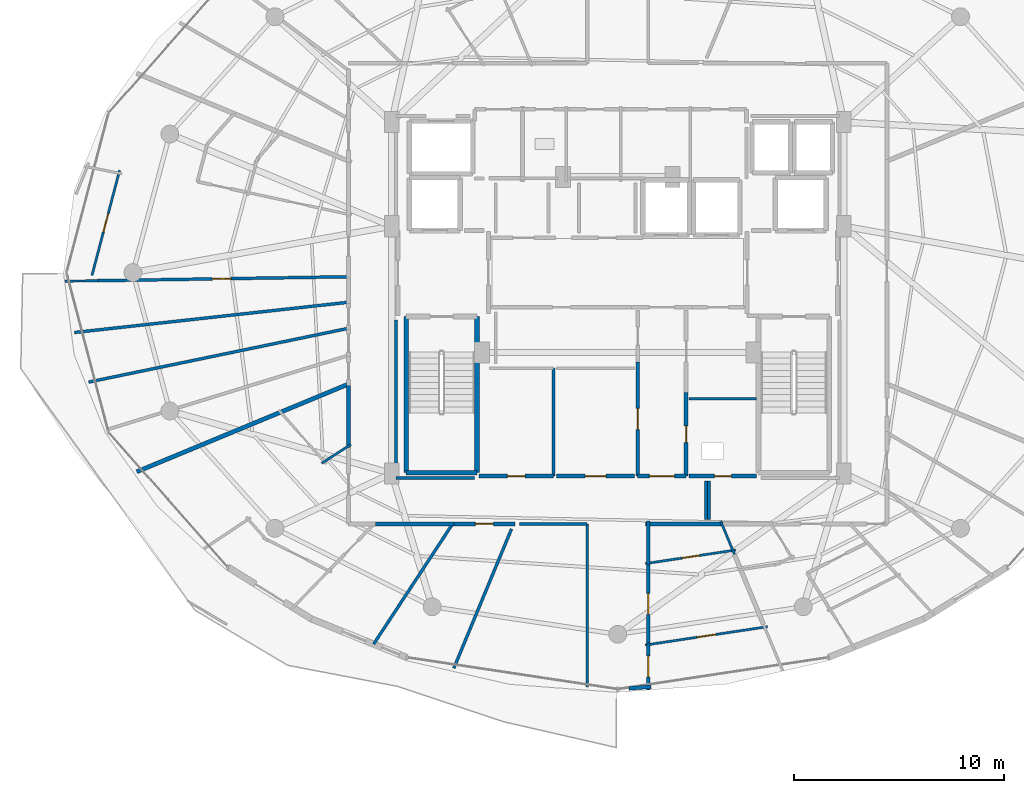
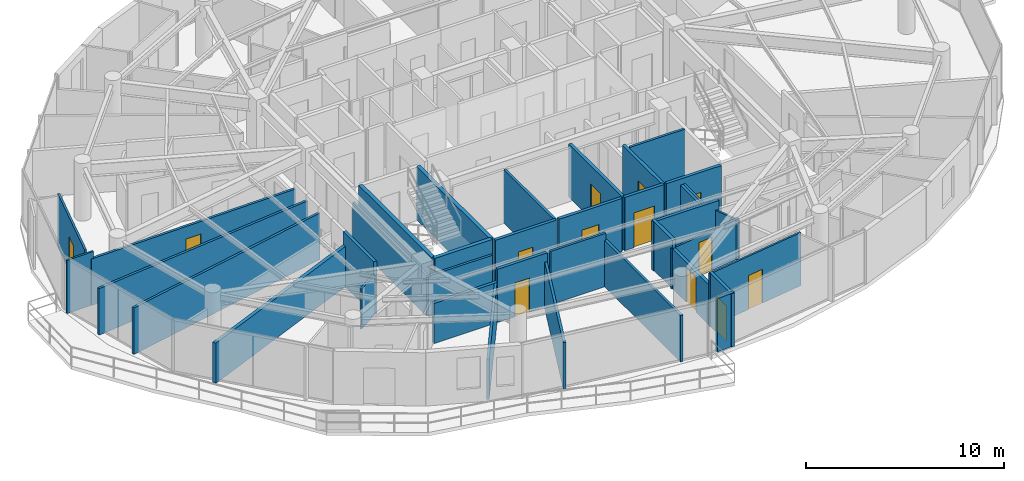
# One storey, part 23 of 31: 37 walls, 13 doors, 13 openings.
"""IFC4 building model written with IfcOpenShell, lengths in metres."""

from ifc_helpers import new_model, si_unit, direction, frame, frame_2d, origin, place, context, subcontext, project, spatial, rectangle, extrude, material, layer, layer_set, type_object, element, fill, save


model = new_model("IFC4")

# Units and contexts
model_context = context("Model", 3, precision=1e-05, world=origin(), true_north=direction((0.0, 1.0)))
body_context = subcontext(model_context, "Body", "Model", "MODEL_VIEW")
ifc_project = project(units=[si_unit("LENGTHUNIT", "METRE"), si_unit("AREAUNIT", "SQUARE_METRE"), si_unit("VOLUMEUNIT", "CUBIC_METRE"), si_unit("PLANEANGLEUNIT", "RADIAN"), si_unit("MASSUNIT", "GRAM", prefix="KILO")], contexts=[model_context])

# Site, building, storey
site_placement = place(None, origin())
site = spatial("IfcSite", under=ifc_project, at=site_placement, CompositionType="ELEMENT")
building_placement = place(site_placement, origin())
building = spatial("IfcBuilding", under=site, at=building_placement, Name="Vorneva Point Tower", CompositionType="ELEMENT")
storey_placement = place(building_placement, frame((0.0, 0.0, 244.89990234375)))
storey = spatial("IfcBuildingStorey", under=building, at=storey_placement, Name="L66", CompositionType="ELEMENT", Elevation=244.89990234375)

# Wall, opening, door
ifc_material_1 = material(Name="Fire-rated acoustic gypsum stud partition", Category="gypsum")
ifc_layer_1 = layer(ifc_material_1, 0.110107421875)
ifc_layer_set_1 = layer_set([ifc_layer_1], Name="Fire-rated acoustic gypsum stud partition")
wall_type_1 = type_object("IfcWallType", Name="WL-PART-110", PredefinedType="PARTITIONING", material=ifc_layer_set_1)
wall_1_placement = place(storey_placement, frame((14.318603515625, 30.8603515625, 0.0), z_axis=(0.0, 0.0, 1.0), x_axis=(-0.254404898477, -0.967097796312, 0.0)))
wall_1 = element("IfcWall", 1, at=wall_1_placement, inside=storey, type_object=wall_type_1, Name="L66 Interior Partition 089", PredefinedType="PARTITIONING", context=body_context, shape_type="SweptSolid", body=[
    extrude(rectangle(XDim=5.165771484375, YDim=0.110107421875, at=frame_2d((2.5830078125, 0.0))), origin(), (0.0, 0.0, 1.0), 3.2900390625),
])
opening_1_placement = place(wall_1_placement, frame((2.1328125, 0.0, 0.0)))
opening_1 = element("IfcOpeningElement", 2, at=opening_1_placement, cuts=wall_1, Name="Opening ID-01", PredefinedType="OPENING", context=body_context, shape_type="SweptSolid", body=[
    extrude(rectangle(XDim=0.89990234375, YDim=2.10009765625, at=frame_2d((0.449951171875, 1.050048828125))), frame((0.0, 0.06982421875, 0.0), z_axis=(0.0, -1.0, 0.0), x_axis=(1.0, 0.0, 0.0)), (0.0, 0.0, 1.0), 0.139892578125),
])
ifc_material_2 = material(Name="Engineered oak fire-rated door leaf", Category="wood")
door_type_1 = type_object("IfcDoorType", Name="DR-ROOM-900", OperationType="NOTDEFINED", PredefinedType="DOOR", material=ifc_material_2)
door_1_placement = place(opening_1_placement, origin())
door_1 = element("IfcDoor", 3, at=door_1_placement, inside=storey, type_object=door_type_1, Name="L66 Door Living and Dining Room L66-02 / Kitchen L66-02", OperationType="SINGLE_SWING_LEFT", OverallHeight=2.10009765625, OverallWidth=0.89990234375, PredefinedType="DOOR", context=body_context, shape_type="SweptSolid", body=[
    extrude(rectangle(XDim=0.89990234375, YDim=2.10009765625, at=frame_2d((0.449951171875, 1.050048828125))), frame((0.0, 0.02490234375, 0.0), z_axis=(0.0, -1.0, 0.0), x_axis=(1.0, 0.0, 0.0)), (0.0, 0.0, 1.0), 0.050048828125),
])
fill(opening_1, door_1)

# Walls
wall_2_placement = place(storey_placement, frame((11.714111328125, 25.5869140625, 0.0), z_axis=(0.0, 0.0, 1.0), x_axis=(0.9998813462, 0.015404334465, 0.0)))
element("IfcWall", 4, at=wall_2_placement, inside=storey, type_object=wall_type_1, Name="L66 Interior Partition 096", PredefinedType="PARTITIONING", context=body_context, shape_type="SweptSolid", body=[
    extrude(rectangle(XDim=1.569091796875, YDim=0.110107421875, at=frame_2d((0.78466796875, 0.0))), origin(), (0.0, 0.0, 1.0), 3.2900390625),
])
wall_3_placement = place(storey_placement, frame((25.317626953125, 17.827880859375, 0.0), z_axis=(0.0, 0.0, 1.0), x_axis=(-0.840783734709, -0.541371140207, 0.0)))
element("IfcWall", 5, at=wall_3_placement, inside=storey, type_object=wall_type_1, Name="L66 Interior Partition 101", PredefinedType="PARTITIONING", context=body_context, shape_type="SweptSolid", body=[
    extrude(rectangle(XDim=1.648681640625, YDim=0.110107421875, at=frame_2d((0.82421875, 0.0))), origin(), (0.0, 0.0, 1.0), 2.482177734375),
])
wall_4_placement = place(storey_placement, frame((43.549560546875, 12.602783203125, 0.0), z_axis=(0.0, 0.0, 1.0), x_axis=(-0.382735094105, 0.923858131826, 0.0)))
element("IfcWall", 6, at=wall_4_placement, inside=storey, type_object=wall_type_1, Name="L66 Interior Partition 109", PredefinedType="PARTITIONING", context=body_context, shape_type="SweptSolid", body=[
    extrude(rectangle(XDim=1.706298828125, YDim=0.110107421875, at=frame_2d((0.85302734375, 0.0))), origin(), (0.0, 0.0, 1.0), 2.482177734375),
])

# Wall, opening, door
wall_5_placement = place(storey_placement, frame((43.611328125, 12.807861328125, 0.0), z_axis=(0.0, 0.0, 1.0), x_axis=(-0.988876968465, -0.148735810213, 0.0)))
wall_5 = element("IfcWall", 7, at=wall_5_placement, inside=storey, type_object=wall_type_1, Name="L66 Interior Partition 110", PredefinedType="PARTITIONING", context=body_context, shape_type="SweptSolid", body=[
    extrude(rectangle(XDim=4.34814453125, YDim=0.110107421875, at=frame_2d((2.174072265625, 0.0))), origin(), (0.0, 0.0, 1.0), 2.482177734375),
])
opening_2_placement = place(wall_5_placement, frame((1.7490234375, 0.0, 0.0)))
opening_2 = element("IfcOpeningElement", 8, at=opening_2_placement, cuts=wall_5, Name="Opening ID-02", PredefinedType="OPENING", context=body_context, shape_type="SweptSolid", body=[
    extrude(rectangle(XDim=0.85009765625, YDim=2.10009765625, at=frame_2d((0.425048828125, 1.050048828125))), frame((0.0, 0.06982421875, 0.0), z_axis=(0.0, -1.0, 0.0), x_axis=(1.0, 0.0, 0.0)), (0.0, 0.0, 1.0), 0.139892578125),
])
door_type_2 = type_object("IfcDoorType", Name="DR-BATH-850", OperationType="NOTDEFINED", PredefinedType="DOOR", material=ifc_material_2)
door_2_placement = place(opening_2_placement, origin())
door_2 = element("IfcDoor", 9, at=door_2_placement, inside=storey, type_object=door_type_2, Name="L66 Door Studio Apartment L66-04 / Bathroom L66-04", OperationType="SINGLE_SWING_LEFT", OverallHeight=2.10009765625, OverallWidth=0.85009765625, PredefinedType="DOOR", context=body_context, shape_type="SweptSolid", body=[
    extrude(rectangle(XDim=0.85009765625, YDim=2.10009765625, at=frame_2d((0.425048828125, 1.050048828125))), frame((0.0, 0.02490234375, 0.0), z_axis=(0.0, -1.0, 0.0), x_axis=(1.0, 0.0, 0.0)), (0.0, 0.0, 1.0), 0.050048828125),
])
fill(opening_2, door_2)

wall_6_placement = place(storey_placement, frame((39.3115234375, 8.289306640625, 0.0), z_axis=(0.0, 0.0, 1.0), x_axis=(0.988884781275, 0.1486838571, 0.0)))
wall_6 = element("IfcWall", 10, at=wall_6_placement, inside=storey, type_object=wall_type_1, Name="L66 Interior Partition 112", PredefinedType="PARTITIONING", context=body_context, shape_type="SweptSolid", body=[
    extrude(rectangle(XDim=5.875, YDim=0.110107421875, at=frame_2d((2.9375, 0.0))), origin(), (0.0, 0.0, 1.0), 3.2900390625),
])
opening_3_placement = place(wall_6_placement, frame((2.487548828125, 0.0, 0.0)))
opening_3 = element("IfcOpeningElement", 11, at=opening_3_placement, cuts=wall_6, Name="Opening ID-01", PredefinedType="OPENING", context=body_context, shape_type="SweptSolid", body=[
    extrude(rectangle(XDim=0.89990234375, YDim=2.10009765625, at=frame_2d((0.449951171875, 1.050048828125))), frame((0.0, 0.06982421875, 0.0), z_axis=(0.0, -1.0, 0.0), x_axis=(1.0, 0.0, 0.0)), (0.0, 0.0, 1.0), 0.139892578125),
])
door_3_placement = place(opening_3_placement, origin())
door_3 = element("IfcDoor", 12, at=door_3_placement, inside=storey, type_object=door_type_1, Name="L66 Door Studio Apartment L66-04 / Kitchen L66-04", OperationType="SINGLE_SWING_RIGHT", OverallHeight=2.10009765625, OverallWidth=0.89990234375, PredefinedType="DOOR", context=body_context, shape_type="SweptSolid", body=[
    extrude(rectangle(XDim=0.89990234375, YDim=2.10009765625, at=frame_2d((0.449951171875, 1.050048828125))), frame((0.0, 0.02490234375, 0.0), z_axis=(0.0, -1.0, 0.0), x_axis=(1.0, 0.0, 0.0)), (0.0, 0.0, 1.0), 0.050048828125),
])
fill(opening_3, door_3)

# Walls
ifc_layer_2 = layer(ifc_material_1, 0.139892578125)
ifc_layer_set_2 = layer_set([ifc_layer_2], Name="Fire-rated acoustic gypsum stud partition")
wall_type_2 = type_object("IfcWallType", Name="WL-PART-140", PredefinedType="PARTITIONING", material=ifc_layer_set_2)
wall_7_placement = place(storey_placement, frame((44.60009765625, 20.0, 0.0), z_axis=(0.0, 0.0, 1.0), x_axis=(-1.0, 0.0, 0.0)))
element("IfcWall", 13, at=wall_7_placement, inside=storey, type_object=wall_type_2, Name="L66 Interior Partition 020", PredefinedType="PARTITIONING", context=body_context, shape_type="SweptSolid", body=[
    extrude(rectangle(XDim=3.2001953125, YDim=0.139892578125, at=frame_2d((1.60009765625, 0.0))), origin(), (0.0, 0.0, 1.0), 3.2900390625),
])
wall_8_placement = place(storey_placement, frame((34.949951171875, 16.320068359375, 0.0), z_axis=(0.0, 0.0, 1.0), x_axis=(0.0, 1.0, 0.0)))
element("IfcWall", 14, at=wall_8_placement, inside=storey, type_object=wall_type_2, Name="L66 Interior Partition 033", PredefinedType="PARTITIONING", context=body_context, shape_type="SweptSolid", body=[
    extrude(rectangle(XDim=5.1298828125, YDim=0.139892578125, at=frame_2d((2.56494140625, 0.0))), origin(), (0.0, 0.0, 1.0), 3.2900390625),
])

# Wall, opening, door
wall_9_placement = place(storey_placement, frame((13.14306640625, 25.60888671875, 0.0), z_axis=(0.0, 0.0, 1.0), x_axis=(0.999875613351, 0.015772058374, 0.0)))
wall_9 = element("IfcWall", 15, at=wall_9_placement, inside=storey, type_object=wall_type_2, Name="L66 Interior Partition 093", PredefinedType="PARTITIONING", context=body_context, shape_type="SweptSolid", body=[
    extrude(rectangle(XDim=12.058349609375, YDim=0.139892578125, at=frame_2d((6.029296875, 0.0))), origin(), (0.0, 0.0, 1.0), 2.8740234375),
])
opening_4_placement = place(wall_9_placement, frame((5.5791015625, 0.0, 0.0)))
opening_4 = element("IfcOpeningElement", 16, at=opening_4_placement, cuts=wall_9, Name="Opening ID-01", PredefinedType="OPENING", context=body_context, shape_type="SweptSolid", body=[
    extrude(rectangle(XDim=0.89990234375, YDim=2.10009765625, at=frame_2d((0.449951171875, 1.050048828125))), frame((0.0, 0.0849609375, 0.0), z_axis=(0.0, -1.0, 0.0), x_axis=(1.0, 0.0, 0.0)), (0.0, 0.0, 1.0), 0.169677734375),
])
door_4_placement = place(opening_4_placement, origin())
door_4 = element("IfcDoor", 17, at=door_4_placement, inside=storey, type_object=door_type_1, Name="L66 Door Living and Dining Room L66-02 / Master Bedroom L66-02.1", OperationType="SINGLE_SWING_LEFT", OverallHeight=2.10009765625, OverallWidth=0.89990234375, PredefinedType="DOOR", context=body_context, shape_type="SweptSolid", body=[
    extrude(rectangle(XDim=0.89990234375, YDim=2.10009765625, at=frame_2d((0.449951171875, 1.050048828125))), frame((0.0, 0.02490234375, 0.0), z_axis=(0.0, -1.0, 0.0), x_axis=(1.0, 0.0, 0.0)), (0.0, 0.0, 1.0), 0.050048828125),
])
fill(opening_4, door_4)

# Walls
wall_10_placement = place(storey_placement, frame((12.172119140625, 23.14892578125, 0.0), z_axis=(0.0, 0.0, 1.0), x_axis=(0.993963433103, 0.109711866515, 0.0)))
element("IfcWall", 18, at=wall_10_placement, inside=storey, type_object=wall_type_2, Name="L66 Interior Partition 097", PredefinedType="PARTITIONING", context=body_context, shape_type="SweptSolid", body=[
    extrude(rectangle(XDim=13.10693359375, YDim=0.139892578125, at=frame_2d((6.553466796875, 0.0))), origin(), (0.0, 0.0, 1.0), 2.8740234375),
])
wall_11_placement = place(storey_placement, frame((12.844970703125, 20.791015625, 0.0), z_axis=(0.0, 0.0, 1.0), x_axis=(0.97923049011, 0.202750208975, 0.0)))
element("IfcWall", 19, at=wall_11_placement, inside=storey, type_object=wall_type_2, Name="L66 Interior Partition 098", PredefinedType="PARTITIONING", context=body_context, shape_type="SweptSolid", body=[
    extrude(rectangle(XDim=12.616943359375, YDim=0.139892578125, at=frame_2d((6.30859375, 0.0))), origin(), (0.0, 0.0, 1.0), 2.8740234375),
])
wall_12_placement = place(storey_placement, frame((26.39697265625, 8.3359375, 0.0), z_axis=(0.0, 0.0, 1.0), x_axis=(0.548967647923, 0.835843598728, 0.0)))
element("IfcWall", 20, at=wall_12_placement, inside=storey, type_object=wall_type_2, Name="L66 Interior Partition 108", PredefinedType="PARTITIONING", context=body_context, shape_type="SweptSolid", body=[
    extrude(rectangle(XDim=6.83642578125, YDim=0.139892578125, at=frame_2d((3.418212890625, 0.0))), origin(), (0.0, 0.0, 1.0), 2.482177734375),
])
wall_13_placement = place(storey_placement, frame((33.330078125, 14.050048828125, 0.0), z_axis=(0.0, 0.0, 1.0), x_axis=(1.0, 0.0, 0.0)))
element("IfcWall", 21, at=wall_13_placement, inside=storey, type_object=wall_type_2, Name="L66 Interior Closure Partition 137", PredefinedType="PARTITIONING", context=body_context, shape_type="SweptSolid", body=[
    extrude(rectangle(XDim=3.219970703125, YDim=0.139892578125, at=frame_2d((1.60986328125, 0.0))), origin(), (0.0, 0.0, 1.0), 3.2900390625),
])
wall_14_placement = place(storey_placement, frame((36.550048828125, 14.050048828125, 0.0), z_axis=(0.0, 0.0, 1.0), x_axis=(0.0, -1.0, 0.0)))
element("IfcWall", 22, at=wall_14_placement, inside=storey, type_object=wall_type_2, Name="L66 Interior Closure Partition 138", PredefinedType="PARTITIONING", context=body_context, shape_type="SweptSolid", body=[
    extrude(rectangle(XDim=7.7509765625, YDim=0.139892578125, at=frame_2d((3.87548828125, 0.0))), origin(), (0.0, 0.0, 1.0), 2.8740234375),
])
wall_15_placement = place(storey_placement, frame((27.449951171875, 23.75390625, 0.0), z_axis=(0.0, 0.0, 1.0), x_axis=(0.0, -1.0, 0.0)))
element("IfcWall", 23, at=wall_15_placement, inside=storey, type_object=wall_type_2, Name="L66 Interior Closure Partition 148", PredefinedType="PARTITIONING", context=body_context, shape_type="SweptSolid", body=[
    extrude(rectangle(XDim=7.513916015625, YDim=0.139892578125, at=frame_2d((3.7568359375, 0.0))), origin(), (0.0, 0.0, 1.0), 2.482177734375),
])
wall_16_placement = place(storey_placement, frame((27.449951171875, 16.239990234375, 0.0), z_axis=(0.0, 0.0, 1.0), x_axis=(1.0, 0.0, 0.0)))
element("IfcWall", 24, at=wall_16_placement, inside=storey, type_object=wall_type_2, Name="L66 Interior Closure Partition 149", PredefinedType="PARTITIONING", context=body_context, shape_type="SweptSolid", body=[
    extrude(rectangle(XDim=3.7451171875, YDim=0.139892578125, at=frame_2d((1.87255859375, 0.0))), origin(), (0.0, 0.0, 1.0), 2.482177734375),
])
for number, where, z_axis, x_axis, name in (
    (25, (42.199951171875, 16.10009765625, 0.0), (0.0, 0.0, 1.0), (0.0, -1.0, 0.0), "L66 Interior Closure Partition 150"),
    (26, (42.340087890625, 14.27001953125, 0.0), (0.0, 0.0, 1.0), (0.0, 1.0, 0.0), "L66 Interior Closure Partition 151"),
):
    element("IfcWall", number, at=place(storey_placement, frame(where, z_axis=z_axis, x_axis=x_axis)), inside=storey, type_object=wall_type_2, Name=name, PredefinedType="PARTITIONING", context=body_context, shape_type="SweptSolid", body=[
        extrude(rectangle(XDim=1.830078125, YDim=0.139892578125, at=frame_2d((0.9150390625, 0.0))), origin(), (0.0, 0.0, 1.0), 3.022216796875),
    ])
wall_17_placement = place(storey_placement, frame((30.20703125, 7.18701171875, 0.0), z_axis=(0.0, 0.0, 1.0), x_axis=(0.382679691634, 0.923881081964, 0.0)))
element("IfcWall", 27, at=wall_17_placement, inside=storey, type_object=wall_type_2, Name="L66 Interior Closure Partition 152", PredefinedType="PARTITIONING", context=body_context, shape_type="SweptSolid", body=[
    extrude(rectangle(XDim=7.167724609375, YDim=0.139892578125, at=frame_2d((3.583984375, 0.0))), origin(), (0.0, 0.0, 1.0), 2.8740234375),
])

# Wall, opening, door
ifc_material_3 = material(Name="Autoclaved aerated concrete blockwork", Category="masonry")
ifc_layer_3 = layer(ifc_material_3, 0.179931640625)
ifc_layer_set_3 = layer_set([ifc_layer_3], Name="Autoclaved aerated concrete blockwork")
wall_type_3 = type_object("IfcWallType", Name="WL-PART-180", PredefinedType="PARTITIONING", material=ifc_layer_set_3)
wall_18_placement = place(storey_placement, frame((41.25, 16.320068359375, 0.0), z_axis=(0.0, 0.0, 1.0), x_axis=(0.0, 1.0, 0.0)))
wall_18 = element("IfcWall", 28, at=wall_18_placement, inside=storey, type_object=wall_type_3, Name="L66 Interior Partition 015", PredefinedType="PARTITIONING", context=body_context, shape_type="SweptSolid", body=[
    extrude(rectangle(XDim=3.98486328125, YDim=0.179931640625, at=frame_2d((1.992431640625, 0.0))), origin(), (0.0, 0.0, 1.0), 3.2900390625),
])
opening_5_placement = place(wall_18_placement, frame((1.592529296875, 0.0, 0.0)))
opening_5 = element("IfcOpeningElement", 29, at=opening_5_placement, cuts=wall_18, Name="Opening RD-01", PredefinedType="OPENING", context=body_context, shape_type="SweptSolid", body=[
    extrude(rectangle(XDim=0.800048828125, YDim=2.050048828125, at=frame_2d((0.39990234375, 1.02490234375))), frame((0.0, 0.10498046875, 0.0), z_axis=(0.0, -1.0, 0.0), x_axis=(1.0, 0.0, 0.0)), (0.0, 0.0, 1.0), 0.209716796875),
])
ifc_material_4 = material(Name="Fire-rated powder-coated steel", Category="steel")
door_type_3 = type_object("IfcDoorType", Name="DR-RSR-800", OperationType="SINGLE_SWING_LEFT", PredefinedType="DOOR", material=ifc_material_4)
door_5_placement = place(opening_5_placement, origin())
door_5 = element("IfcDoor", 30, at=door_5_placement, inside=storey, type_object=door_type_3, Name="L66 Door Core Service Lobby / Electrical Riser", OperationType="SINGLE_SWING_LEFT", OverallHeight=2.050048828125, OverallWidth=0.800048828125, PredefinedType="DOOR", context=body_context, shape_type="SweptSolid", body=[
    extrude(rectangle(XDim=0.800048828125, YDim=2.050048828125, at=frame_2d((0.39990234375, 1.02490234375))), frame((0.0, 0.02490234375, 0.0), z_axis=(0.0, -1.0, 0.0), x_axis=(1.0, 0.0, 0.0)), (0.0, 0.0, 1.0), 0.050048828125),
])
fill(opening_5, door_5)

wall_19_placement = place(storey_placement, frame((38.949951171875, 21.7548828125, 0.0), z_axis=(0.0, 0.0, 1.0), x_axis=(0.0, -1.0, 0.0)))
wall_19 = element("IfcWall", 31, at=wall_19_placement, inside=storey, type_object=wall_type_3, Name="L66 Interior Partition 017", PredefinedType="PARTITIONING", context=body_context, shape_type="SweptSolid", body=[
    extrude(rectangle(XDim=5.434814453125, YDim=0.179931640625, at=frame_2d((2.71728515625, 0.0))), origin(), (0.0, 0.0, 1.0), 3.2900390625),
])
opening_6_placement = place(wall_19_placement, frame((2.217529296875, 0.0, 0.0)))
opening_6 = element("IfcOpeningElement", 32, at=opening_6_placement, cuts=wall_19, Name="Opening UD-01", PredefinedType="OPENING", context=body_context, shape_type="SweptSolid", body=[
    extrude(rectangle(XDim=1.0, YDim=2.14990234375, at=frame_2d((0.5, 1.074951171875))), frame((0.0, 0.10498046875, 0.0), z_axis=(0.0, -1.0, 0.0), x_axis=(1.0, 0.0, 0.0)), (0.0, 0.0, 1.0), 0.209716796875),
])
door_type_4 = type_object("IfcDoorType", Name="DR-UNIT-1000", OperationType="NOTDEFINED", PredefinedType="DOOR", material=ifc_material_2)
door_6_placement = place(opening_6_placement, origin())
door_6 = element("IfcDoor", 33, at=door_6_placement, inside=storey, type_object=door_type_4, Name="L66 Door Core Service Lobby / Staff Service Pantry", OperationType="SINGLE_SWING_LEFT", OverallHeight=2.14990234375, OverallWidth=1.0, PredefinedType="DOOR", context=body_context, shape_type="SweptSolid", body=[
    extrude(rectangle(XDim=1.0, YDim=2.14990234375, at=frame_2d((0.5, 1.074951171875))), frame((0.0, 0.02490234375, 0.0), z_axis=(0.0, -1.0, 0.0), x_axis=(1.0, 0.0, 0.0)), (0.0, 0.0, 1.0), 0.050048828125),
])
fill(opening_6, door_6)

wall_20_placement = place(storey_placement, frame((38.949951171875, 16.320068359375, 0.0), z_axis=(0.0, 0.0, 1.0), x_axis=(1.0, 0.0, 0.0)))
wall_20 = element("IfcWall", 34, at=wall_20_placement, inside=storey, type_object=wall_type_3, Name="L66 Interior Partition 019", PredefinedType="PARTITIONING", context=body_context, shape_type="SweptSolid", body=[
    extrude(rectangle(XDim=2.300048828125, YDim=0.179931640625, at=frame_2d((1.14990234375, 0.0))), origin(), (0.0, 0.0, 1.0), 3.2900390625),
])
opening_7_placement = place(wall_20_placement, frame((0.550048828125, 0.0, 0.0)))
opening_7 = element("IfcOpeningElement", 35, at=opening_7_placement, cuts=wall_20, Name="Opening FD-02", PredefinedType="OPENING", context=body_context, shape_type="SweptSolid", body=[
    extrude(rectangle(XDim=1.199951171875, YDim=2.14990234375, at=frame_2d((0.60009765625, 1.074951171875))), frame((0.0, 0.10498046875, 0.0), z_axis=(0.0, -1.0, 0.0), x_axis=(1.0, 0.0, 0.0)), (0.0, 0.0, 1.0), 0.209716796875),
])
door_type_5 = type_object("IfcDoorType", Name="DR-FFL-1200", OperationType="NOTDEFINED", PredefinedType="DOOR", material=ifc_material_4)
door_7_placement = place(opening_7_placement, origin())
door_7 = element("IfcDoor", 36, at=door_7_placement, inside=storey, type_object=door_type_5, Name="L66 Door Core Service Lobby / L66 Circulation Corridor", OperationType="SINGLE_SWING_LEFT", OverallHeight=2.14990234375, OverallWidth=1.199951171875, PredefinedType="DOOR", context=body_context, shape_type="SweptSolid", body=[
    extrude(rectangle(XDim=1.199951171875, YDim=2.14990234375, at=frame_2d((0.60009765625, 1.074951171875))), frame((0.0, 0.02490234375, 0.0), z_axis=(0.0, -1.0, 0.0), x_axis=(1.0, 0.0, 0.0)), (0.0, 0.0, 1.0), 0.050048828125),
])
fill(opening_7, door_7)

wall_21_placement = place(storey_placement, frame((41.39990234375, 16.320068359375, 0.0), z_axis=(0.0, 0.0, 1.0), x_axis=(1.0, 0.0, 0.0)))
wall_21 = element("IfcWall", 37, at=wall_21_placement, inside=storey, type_object=wall_type_3, Name="L66 Interior Partition 021", PredefinedType="PARTITIONING", context=body_context, shape_type="SweptSolid", body=[
    extrude(rectangle(XDim=3.2001953125, YDim=0.179931640625, at=frame_2d((1.60009765625, 0.0))), origin(), (0.0, 0.0, 1.0), 3.2900390625),
])
opening_8_placement = place(wall_21_placement, frame((1.199951171875, 0.0, 0.0)))
opening_8 = element("IfcOpeningElement", 38, at=opening_8_placement, cuts=wall_21, Name="Opening RD-01", PredefinedType="OPENING", context=body_context, shape_type="SweptSolid", body=[
    extrude(rectangle(XDim=0.800048828125, YDim=2.050048828125, at=frame_2d((0.39990234375, 1.02490234375))), frame((0.0, 0.10498046875, 0.0), z_axis=(0.0, -1.0, 0.0), x_axis=(1.0, 0.0, 0.0)), (0.0, 0.0, 1.0), 0.209716796875),
])
door_8_placement = place(opening_8_placement, origin())
door_8 = element("IfcDoor", 39, at=door_8_placement, inside=storey, type_object=door_type_3, Name="L66 Door Electrical Riser / L66 Circulation Corridor", OperationType="SINGLE_SWING_RIGHT", OverallHeight=2.050048828125, OverallWidth=0.800048828125, PredefinedType="DOOR", context=body_context, shape_type="SweptSolid", body=[
    extrude(rectangle(XDim=0.800048828125, YDim=2.050048828125, at=frame_2d((0.39990234375, 1.02490234375))), frame((0.0, 0.02490234375, 0.0), z_axis=(0.0, -1.0, 0.0), x_axis=(1.0, 0.0, 0.0)), (0.0, 0.0, 1.0), 0.050048828125),
])
fill(opening_8, door_8)

wall_22_placement = place(storey_placement, frame((31.39990234375, 16.320068359375, 0.0), z_axis=(0.0, 0.0, 1.0), x_axis=(1.0, 0.0, 0.0)))
wall_22 = element("IfcWall", 40, at=wall_22_placement, inside=storey, type_object=wall_type_3, Name="L66 Interior Partition 035", PredefinedType="PARTITIONING", context=body_context, shape_type="SweptSolid", body=[
    extrude(rectangle(XDim=3.550048828125, YDim=0.179931640625, at=frame_2d((1.77490234375, 0.0))), origin(), (0.0, 0.0, 1.0), 3.2900390625),
])
opening_9_placement = place(wall_22_placement, frame((1.35009765625, 0.0, 0.0)))
opening_9 = element("IfcOpeningElement", 41, at=opening_9_placement, cuts=wall_22, Name="Opening ID-02", PredefinedType="OPENING", context=body_context, shape_type="SweptSolid", body=[
    extrude(rectangle(XDim=0.85009765625, YDim=2.10009765625, at=frame_2d((0.425048828125, 1.050048828125))), frame((0.0, 0.10498046875, 0.0), z_axis=(0.0, -1.0, 0.0), x_axis=(1.0, 0.0, 0.0)), (0.0, 0.0, 1.0), 0.209716796875),
])
door_9_placement = place(opening_9_placement, origin())
door_9 = element("IfcDoor", 42, at=door_9_placement, inside=storey, type_object=door_type_2, Name="L66 Door Luggage Store / L66 Circulation Corridor", OperationType="SINGLE_SWING_LEFT", OverallHeight=2.10009765625, OverallWidth=0.85009765625, PredefinedType="DOOR", context=body_context, shape_type="SweptSolid", body=[
    extrude(rectangle(XDim=0.85009765625, YDim=2.10009765625, at=frame_2d((0.425048828125, 1.050048828125))), frame((0.0, 0.02490234375, 0.0), z_axis=(0.0, -1.0, 0.0), x_axis=(1.0, 0.0, 0.0)), (0.0, 0.0, 1.0), 0.050048828125),
])
fill(opening_9, door_9)

wall_23_placement = place(storey_placement, frame((35.10009765625, 16.320068359375, 0.0), z_axis=(0.0, 0.0, 1.0), x_axis=(1.0, 0.0, 0.0)))
wall_23 = element("IfcWall", 43, at=wall_23_placement, inside=storey, type_object=wall_type_3, Name="L66 Interior Partition 037", PredefinedType="PARTITIONING", context=body_context, shape_type="SweptSolid", body=[
    extrude(rectangle(XDim=3.699951171875, YDim=0.179931640625, at=frame_2d((1.85009765625, 0.0))), origin(), (0.0, 0.0, 1.0), 3.2900390625),
])
opening_10_placement = place(wall_23_placement, frame((1.35009765625, 0.0, 0.0)))
opening_10 = element("IfcOpeningElement", 44, at=opening_10_placement, cuts=wall_23, Name="Opening UD-01", PredefinedType="OPENING", context=body_context, shape_type="SweptSolid", body=[
    extrude(rectangle(XDim=1.0, YDim=2.14990234375, at=frame_2d((0.5, 1.074951171875))), frame((0.0, 0.10498046875, 0.0), z_axis=(0.0, -1.0, 0.0), x_axis=(1.0, 0.0, 0.0)), (0.0, 0.0, 1.0), 0.209716796875),
])
door_10_placement = place(opening_10_placement, origin())
door_10 = element("IfcDoor", 45, at=door_10_placement, inside=storey, type_object=door_type_4, Name="L66 Door Staff Service Pantry / L66 Circulation Corridor", OperationType="SINGLE_SWING_RIGHT", OverallHeight=2.14990234375, OverallWidth=1.0, PredefinedType="DOOR", context=body_context, shape_type="SweptSolid", body=[
    extrude(rectangle(XDim=1.0, YDim=2.14990234375, at=frame_2d((0.5, 1.074951171875))), frame((0.0, 0.02490234375, 0.0), z_axis=(0.0, -1.0, 0.0), x_axis=(1.0, 0.0, 0.0)), (0.0, 0.0, 1.0), 0.050048828125),
])
fill(opening_10, door_10)

# Walls
wall_24_placement = place(storey_placement, frame((25.199951171875, 20.77294921875, 0.0), z_axis=(0.0, 0.0, 1.0), x_axis=(0.0, -1.0, 0.0)))
element("IfcWall", 46, at=wall_24_placement, inside=storey, type_object=wall_type_3, Name="L66 Interior Partition 051", PredefinedType="PARTITIONING", context=body_context, shape_type="SweptSolid", body=[
    extrude(rectangle(XDim=3.100830078125, YDim=0.179931640625, at=frame_2d((1.55029296875, 0.0))), origin(), (0.0, 0.0, 1.0), 3.2900390625),
])
wall_25_placement = place(storey_placement, frame((26.47998046875, 14.050048828125, 0.0), z_axis=(0.0, 0.0, 1.0), x_axis=(1.0, 0.0, 0.0)))
element("IfcWall", 47, at=wall_25_placement, inside=storey, type_object=wall_type_3, Name="L66 Interior Partition 052", PredefinedType="PARTITIONING", context=body_context, shape_type="SweptSolid", body=[
    extrude(rectangle(XDim=3.72998046875, YDim=0.179931640625, at=frame_2d((1.864990234375, 0.0))), origin(), (0.0, 0.0, 1.0), 2.482177734375),
])

# Wall, opening, door
wall_26_placement = place(storey_placement, frame((30.2099609375, 14.050048828125, 0.0), z_axis=(0.0, 0.0, 1.0), x_axis=(1.0, 0.0, 0.0)))
wall_26 = element("IfcWall", 48, at=wall_26_placement, inside=storey, type_object=wall_type_3, Name="L66 Interior Partition 053", PredefinedType="PARTITIONING", context=body_context, shape_type="SweptSolid", body=[
    extrude(rectangle(XDim=2.900146484375, YDim=0.179931640625, at=frame_2d((1.4501953125, 0.0))), origin(), (0.0, 0.0, 1.0), 3.2900390625),
])
opening_11_placement = place(wall_26_placement, frame((1.02490234375, 0.0, 0.0)))
opening_11 = element("IfcOpeningElement", 49, at=opening_11_placement, cuts=wall_26, Name="Opening ID-02", PredefinedType="OPENING", context=body_context, shape_type="SweptSolid", body=[
    extrude(rectangle(XDim=0.85009765625, YDim=2.10009765625, at=frame_2d((0.425048828125, 1.050048828125))), frame((0.0, 0.10498046875, 0.0), z_axis=(0.0, -1.0, 0.0), x_axis=(1.0, 0.0, 0.0)), (0.0, 0.0, 1.0), 0.209716796875),
])
door_11_placement = place(opening_11_placement, origin())
door_11 = element("IfcDoor", 50, at=door_11_placement, inside=storey, type_object=door_type_2, Name="L66 Access Door L66 Circulation Corridor", OperationType="SINGLE_SWING_RIGHT", OverallHeight=2.10009765625, OverallWidth=0.85009765625, PredefinedType="DOOR", context=body_context, shape_type="SweptSolid", body=[
    extrude(rectangle(XDim=0.85009765625, YDim=2.10009765625, at=frame_2d((0.425048828125, 1.050048828125))), frame((0.0, 0.02490234375, 0.0), z_axis=(0.0, -1.0, 0.0), x_axis=(1.0, 0.0, 0.0)), (0.0, 0.0, 1.0), 0.050048828125),
])
fill(opening_11, door_11)

wall_27_placement = place(storey_placement, frame((39.449951171875, 8.25, 0.0), z_axis=(0.0, 0.0, 1.0), x_axis=(0.0, 1.0, 0.0)))
wall_27 = element("IfcWall", 51, at=wall_27_placement, inside=storey, type_object=wall_type_3, Name="L66 Interior Partition 054", PredefinedType="PARTITIONING", context=body_context, shape_type="SweptSolid", body=[
    extrude(rectangle(XDim=3.992919921875, YDim=0.179931640625, at=frame_2d((1.99658203125, 0.0))), origin(), (0.0, 0.0, 1.0), 2.482177734375),
])
opening_12_placement = place(wall_27_placement, frame((1.49658203125, 0.0, 0.0)))
opening_12 = element("IfcOpeningElement", 52, at=opening_12_placement, cuts=wall_27, Name="Opening UD-01", PredefinedType="OPENING", context=body_context, shape_type="SweptSolid", body=[
    extrude(rectangle(XDim=1.0, YDim=2.14990234375, at=frame_2d((0.5, 1.074951171875))), frame((0.0, 0.10498046875, 0.0), z_axis=(0.0, -1.0, 0.0), x_axis=(1.0, 0.0, 0.0)), (0.0, 0.0, 1.0), 0.209716796875),
])
door_12_placement = place(opening_12_placement, origin())
door_12 = element("IfcDoor", 53, at=door_12_placement, inside=storey, type_object=door_type_4, Name="L66 Door L66 Circulation Corridor / Studio Apartment L66-04", OperationType="SINGLE_SWING_RIGHT", OverallHeight=2.14990234375, OverallWidth=1.0, PredefinedType="DOOR", context=body_context, shape_type="SweptSolid", body=[
    extrude(rectangle(XDim=1.0, YDim=2.14990234375, at=frame_2d((0.5, 1.074951171875))), frame((0.0, 0.02490234375, 0.0), z_axis=(0.0, -1.0, 0.0), x_axis=(1.0, 0.0, 0.0)), (0.0, 0.0, 1.0), 0.050048828125),
])
fill(opening_12, door_12)

# Walls
wall_28_placement = place(storey_placement, frame((39.449951171875, 12.10302734375, 0.0), z_axis=(0.0, 0.0, 1.0), x_axis=(0.0, 1.0, 0.0)))
element("IfcWall", 54, at=wall_28_placement, inside=storey, type_object=wall_type_3, Name="L66 Interior Partition 055", PredefinedType="PARTITIONING", context=body_context, shape_type="SweptSolid", body=[
    extrude(rectangle(XDim=2.0869140625, YDim=0.179931640625, at=frame_2d((1.04345703125, 0.0))), origin(), (0.0, 0.0, 1.0), 3.022216796875),
])
wall_29_placement = place(storey_placement, frame((39.31005859375, 14.050048828125, 0.0), z_axis=(0.0, 0.0, 1.0), x_axis=(1.0, 0.0, 0.0)))
element("IfcWall", 55, at=wall_29_placement, inside=storey, type_object=wall_type_3, Name="L66 Interior Partition 056", PredefinedType="PARTITIONING", context=body_context, shape_type="SweptSolid", body=[
    extrude(rectangle(XDim=3.844970703125, YDim=0.179931640625, at=frame_2d((1.92236328125, 0.0))), origin(), (0.0, 0.0, 1.0), 3.022216796875),
])
wall_30_placement = place(storey_placement, frame((38.531494140625, 6.2294921875, 0.0), z_axis=(0.0, 0.0, 1.0), x_axis=(0.997148461952, 0.075464858219, 0.0)))
element("IfcWall", 56, at=wall_30_placement, inside=storey, type_object=wall_type_3, Name="L66 Interior Partition 057", PredefinedType="PARTITIONING", context=body_context, shape_type="SweptSolid", body=[
    extrude(rectangle(XDim=1.06103515625, YDim=0.179931640625, at=frame_2d((0.530517578125, 0.0))), origin(), (0.0, 0.0, 1.0), 3.2900390625),
])

# Wall, opening, door
wall_31_placement = place(storey_placement, frame((39.449951171875, 6.158935546875, 0.0), z_axis=(0.0, 0.0, 1.0), x_axis=(0.0, 1.0, 0.0)))
wall_31 = element("IfcWall", 57, at=wall_31_placement, inside=storey, type_object=wall_type_3, Name="L66 Interior Partition 058", PredefinedType="PARTITIONING", context=body_context, shape_type="SweptSolid", body=[
    extrude(rectangle(XDim=2.23095703125, YDim=0.179931640625, at=frame_2d((1.115478515625, 0.0))), origin(), (0.0, 0.0, 1.0), 3.2900390625),
])
opening_13_placement = place(wall_31_placement, frame((0.615478515625, 0.0, 0.0)))
opening_13 = element("IfcOpeningElement", 58, at=opening_13_placement, cuts=wall_31, Name="Opening UD-01", PredefinedType="OPENING", context=body_context, shape_type="SweptSolid", body=[
    extrude(rectangle(XDim=1.0, YDim=2.14990234375, at=frame_2d((0.5, 1.074951171875))), frame((0.0, 0.10498046875, 0.0), z_axis=(0.0, -1.0, 0.0), x_axis=(1.0, 0.0, 0.0)), (0.0, 0.0, 1.0), 0.209716796875),
])
door_13_placement = place(opening_13_placement, origin())
door_13 = element("IfcDoor", 59, at=door_13_placement, inside=storey, type_object=door_type_4, Name="L66 Door L66 Circulation Corridor / Kitchen L66-04", OperationType="SINGLE_SWING_LEFT", OverallHeight=2.14990234375, OverallWidth=1.0, PredefinedType="DOOR", context=body_context, shape_type="SweptSolid", body=[
    extrude(rectangle(XDim=1.0, YDim=2.14990234375, at=frame_2d((0.5, 1.074951171875))), frame((0.0, 0.02490234375, 0.0), z_axis=(0.0, -1.0, 0.0), x_axis=(1.0, 0.0, 0.0)), (0.0, 0.0, 1.0), 0.050048828125),
])
fill(opening_13, door_13)

# Walls
ifc_layer_4 = layer(ifc_material_3, 0.199951171875)
ifc_layer_set_4 = layer_set([ifc_layer_4], Name="Autoclaved aerated concrete blockwork")
wall_type_4 = type_object("IfcWallType", Name="WL-PART-200", PredefinedType="PARTITIONING", material=ifc_layer_set_4)
wall_32_placement = place(storey_placement, frame((15.133056640625, 16.528076171875, 0.0), z_axis=(0.0, 0.0, 1.0), x_axis=(0.923877013663, 0.382689513347, 0.0)))
element("IfcWall", 60, at=wall_32_placement, inside=storey, type_object=wall_type_4, Name="L66 Interior Partition 100", PredefinedType="PARTITIONING", context=body_context, shape_type="SweptSolid", body=[
    extrude(rectangle(XDim=10.896240234375, YDim=0.199951171875, at=frame_2d((5.4482421875, 0.0))), origin(), (0.0, 0.0, 1.0), 2.482177734375),
])
ifc_material_5 = material(Name="Concrete B50 (C40/50)", Category="concrete")
ifc_layer_5 = layer(ifc_material_5, 0.219970703125)
ifc_layer_set_5 = layer_set([ifc_layer_5], Name="Concrete B50 (C40/50)")
wall_type_5 = type_object("IfcWallType", Name="WL-SHFT-220", PredefinedType="SOLIDWALL", material=ifc_layer_set_5)
wall_33_placement = place(storey_placement, frame((31.31005859375, 23.909912109375, 0.0), z_axis=(0.0, 0.0, 1.0), x_axis=(0.0, -1.0, 0.0)))
element("IfcWall", 61, at=wall_33_placement, inside=storey, type_object=wall_type_5, Name="L66 Exit Stair ST1 Shaft Wall right", PredefinedType="SOLIDWALL", context=body_context, shape_type="SweptSolid", body=[
    extrude(rectangle(XDim=7.419921875, YDim=0.219970703125, at=frame_2d((3.7099609375, 0.0))), origin(), (0.0, 0.0, 1.0), 3.2900390625),
])
wall_34_placement = place(storey_placement, frame((31.31005859375, 16.489990234375, 0.0), z_axis=(0.0, 0.0, 1.0), x_axis=(-1.0, 0.0, 0.0)))
element("IfcWall", 62, at=wall_34_placement, inside=storey, type_object=wall_type_5, Name="L66 Exit Stair ST1 Shaft Wall far", PredefinedType="SOLIDWALL", context=body_context, shape_type="SweptSolid", body=[
    extrude(rectangle(XDim=3.3701171875, YDim=0.219970703125, at=frame_2d((1.68505859375, 0.0))), origin(), (0.0, 0.0, 1.0), 3.2900390625),
])
wall_35_placement = place(storey_placement, frame((27.93994140625, 16.489990234375, 0.0), z_axis=(0.0, 0.0, 1.0), x_axis=(0.0, 1.0, 0.0)))
element("IfcWall", 63, at=wall_35_placement, inside=storey, type_object=wall_type_5, Name="L66 Exit Stair ST1 Shaft Wall left", PredefinedType="SOLIDWALL", context=body_context, shape_type="SweptSolid", body=[
    extrude(rectangle(XDim=7.419921875, YDim=0.219970703125, at=frame_2d((3.7099609375, 0.0))), origin(), (0.0, 0.0, 1.0), 3.2900390625),
])

save(model, "model.ifc")
